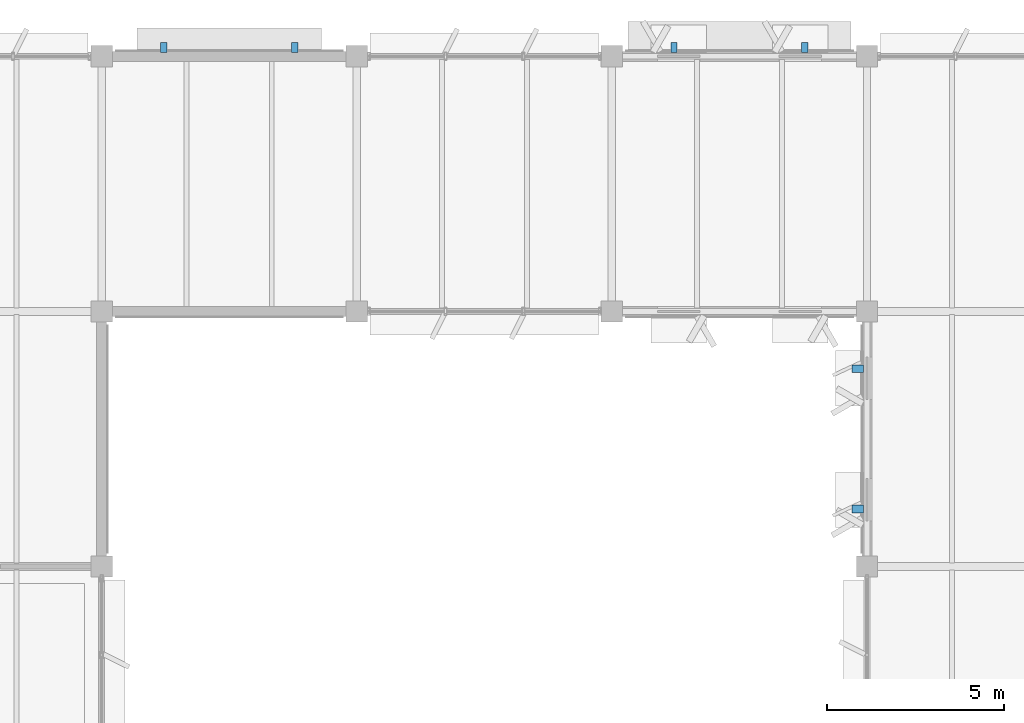
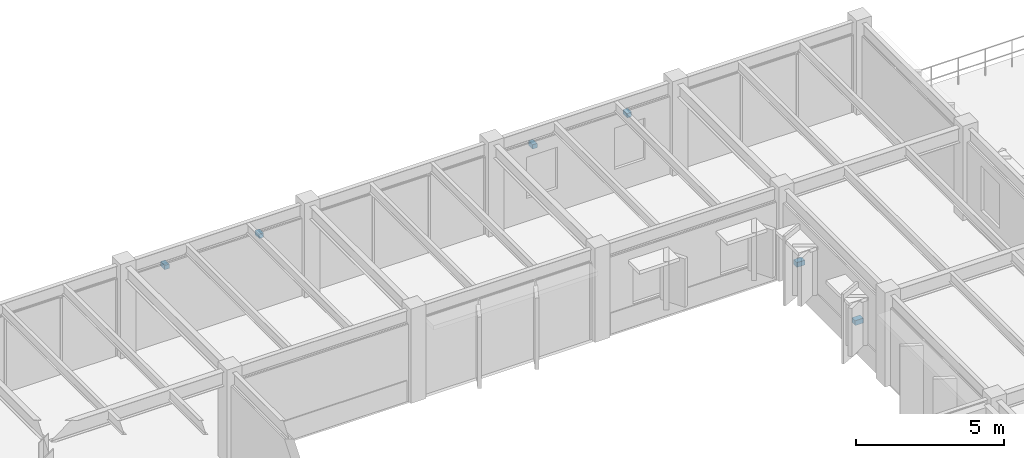
# One storey, part 18 of 35: 6 discrete accessories.
"""IFC4 building model written with IfcOpenShell, lengths in metres."""

from ifc_helpers import new_model, si_unit, direction, frame, origin, origin_2d, place, context, subcontext, project, spatial, rectangle, extrude, material, type_object, element, save


model = new_model("IFC4")

# Units and contexts
model_context = context("Model", 3, precision=1e-05, world=origin(), true_north=direction((0.0, 1.0)))
body_context = subcontext(model_context, "Body", "Model", "MODEL_VIEW")
ifc_project = project(units=[si_unit("LENGTHUNIT", "METRE"), si_unit("AREAUNIT", "SQUARE_METRE"), si_unit("VOLUMEUNIT", "CUBIC_METRE"), si_unit("PLANEANGLEUNIT", "RADIAN"), si_unit("MASSUNIT", "GRAM", prefix="KILO")], contexts=[model_context])

# Site, building, storey
site_placement = place(None, origin())
site = spatial("IfcSite", under=ifc_project, at=site_placement, CompositionType="ELEMENT")
building_placement = place(site_placement, origin())
building = spatial("IfcBuilding", under=site, at=building_placement, Name="Sillqori Civic Hall", CompositionType="ELEMENT")
storey_placement = place(building_placement, frame((0.0, 0.0, 18.0)))
storey = spatial("IfcBuildingStorey", under=building, at=storey_placement, Name="L05", CompositionType="ELEMENT", Elevation=18.0)

# Discrete accessories
ifc_material = material(Name="Steel ASTM A572 Grade 50", Category="steel")
discrete_accessory_type_1 = type_object("IfcDiscreteAccessoryType", Name="BRK-FAC-240", PredefinedType="BRACKET", material=ifc_material)
for number, where, z_axis, x_axis, name in (
    (1, (73.751953125, 115.449951171875, 2.75), (0.0, 0.0, 1.0), (1.0, 0.0, 0.0), "Sun-hood steel bracket L05-10-15-N.1"),
    (2, (77.447998046875, 115.449951171875, 2.75), (0.0, 0.0, 1.0), (1.0, 0.0, 0.0), "Sun-hood steel bracket L05-10-15-N.2"),
    (3, (88.152099609375, 115.449951171875, 2.7001953125), (0.0, 0.0, 1.0), (1.0, 0.0, 0.0), "Sun-hood steel bracket L05-12-15-N.1"),
    (4, (91.847900390625, 115.449951171875, 2.7001953125), (0.0, 0.0, 1.0), (1.0, 0.0, 0.0), "Sun-hood steel bracket L05-12-15-N.2"),
):
    element("IfcDiscreteAccessory", number, at=place(storey_placement, frame(where, z_axis=z_axis, x_axis=x_axis)), inside=storey, type_object=discrete_accessory_type_1, Name=name, PredefinedType="BRACKET", context=body_context, shape_type="SweptSolid", body=[
        extrude(rectangle(XDim=0.179931640625, YDim=0.280029296875, at=origin_2d()), origin(), (0.0, 0.0, 1.0), 0.179931640625),
    ])
discrete_accessory_type_2 = type_object("IfcDiscreteAccessoryType", Name="BRK-FIN-280", PredefinedType="BRACKET", material=ifc_material)
for number, where, z_axis, x_axis, name in (
    (5, (93.340087890625, 102.419921875, 1.49609375), (0.0, 0.0, 1.0), (0.0, 1.0, 0.0), "Brise-soleil fin steel bracket L05-13-14-W.1"),
    (6, (93.340087890625, 106.3798828125, 1.49609375), (0.0, 0.0, 1.0), (0.0, 1.0, 0.0), "Brise-soleil fin steel bracket L05-13-14-W.2"),
):
    element("IfcDiscreteAccessory", number, at=place(storey_placement, frame(where, z_axis=z_axis, x_axis=x_axis)), inside=storey, type_object=discrete_accessory_type_2, Name=name, PredefinedType="BRACKET", context=body_context, shape_type="SweptSolid", body=[
        extrude(rectangle(XDim=0.219970703125, YDim=0.320068359375, at=origin_2d()), origin(), (0.0, 0.0, 1.0), 0.199951171875),
    ])

save(model, "model.ifc")
